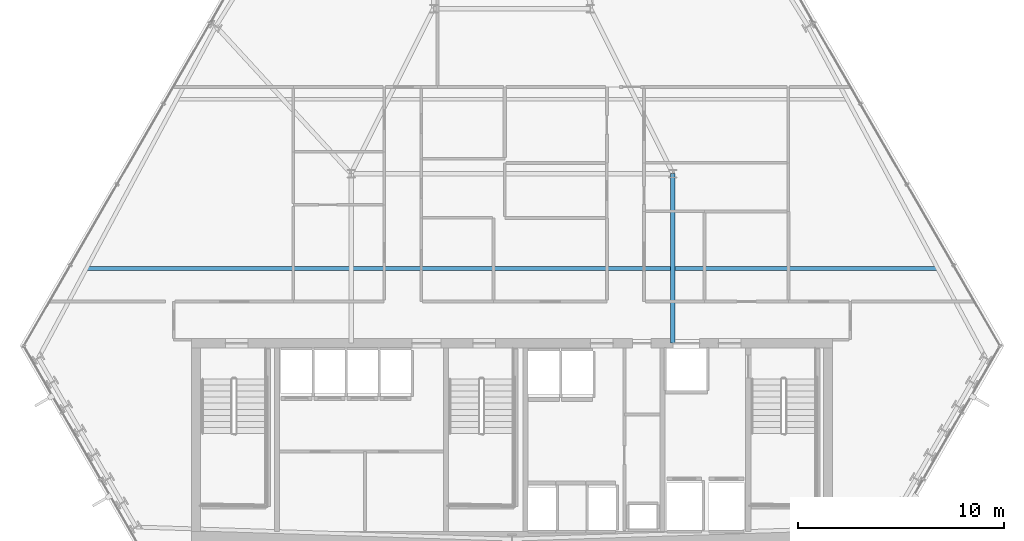
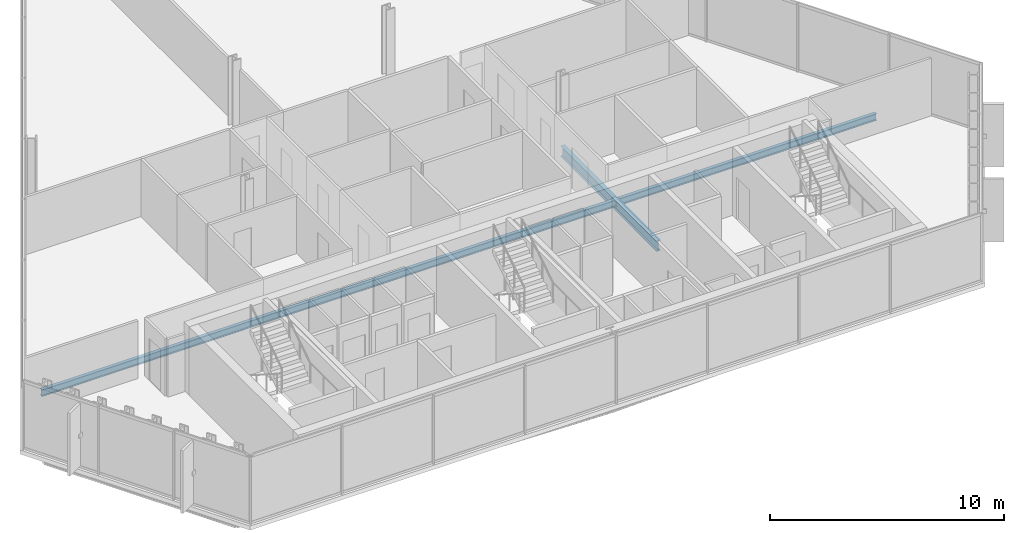
# One storey, part 10 of 33: 2 beams.
"""IFC4 building model written with IfcOpenShell, lengths in metres."""

from ifc_helpers import new_model, si_unit, direction, frame, origin, origin_2d, place, context, subcontext, project, spatial, i_section, extrude, material, material_profile, profile_set, type_object, element, save


model = new_model("IFC4")

# Units and contexts
model_context = context("Model", 3, precision=1e-05, world=origin(), true_north=direction((0.0, 1.0)))
body_context = subcontext(model_context, "Body", "Model", "MODEL_VIEW")
ifc_project = project(units=[si_unit("LENGTHUNIT", "METRE"), si_unit("AREAUNIT", "SQUARE_METRE"), si_unit("VOLUMEUNIT", "CUBIC_METRE"), si_unit("PLANEANGLEUNIT", "RADIAN"), si_unit("MASSUNIT", "GRAM", prefix="KILO")], contexts=[model_context])

# Site, building, storey
site_placement = place(None, origin())
site = spatial("IfcSite", under=ifc_project, at=site_placement, CompositionType="ELEMENT")
building_placement = place(site_placement, origin())
building = spatial("IfcBuilding", under=site, at=building_placement, Name="Ndaravel Arena Tower", CompositionType="ELEMENT")
storey_placement = place(building_placement, frame((0.0, 0.0, 153.60009765625)))
storey = spatial("IfcBuildingStorey", under=building, at=storey_placement, Name="L36", CompositionType="ELEMENT", Elevation=153.60009765625)

# Beams
ifc_material_1 = material(Name="Steel S355", Category="steel")
ifc_material_profile_1 = material_profile(ifc_material_1, i_section(OverallWidth=0.210693359375, OverallDepth=0.53955078125, WebThickness=0.01171875, FlangeThickness=0.018798828125, FilletRadius=0.0126953125, at=origin_2d()), Name="UB 533x210x109")
ifc_profile_set_1 = profile_set([ifc_material_profile_1], Name="Steel S355")
beam_type_1 = type_object("IfcBeamType", Name="BM-GIRD-UB533", PredefinedType="BEAM", material=ifc_profile_set_1)
beam_1_placement = place(storey_placement, frame((49.800048828125, 14.97998046875, -0.48974609375), z_axis=(0.0, 1.0, 0.0), x_axis=(-1.0, 0.0, 0.0)))
element("IfcBeam", 1, at=beam_1_placement, inside=storey, type_object=beam_type_1, Name="L36 Spine Link Girder SLG-02", PredefinedType="BEAM", context=body_context, shape_type="SweptSolid", body=[
    extrude(i_section(OverallWidth=0.210693359375, OverallDepth=0.53955078125, WebThickness=0.01171875, FlangeThickness=0.018798828125, FilletRadius=0.0126953125, at=origin_2d()), origin(), (0.0, 0.0, 1.0), 8.219970703125),
])
ifc_material_2 = material(Name="Steel S355", Category="steel")
ifc_material_profile_2 = material_profile(ifc_material_2, i_section(OverallWidth=0.172119140625, OverallDepth=0.35791015625, WebThickness=0.008056640625, FlangeThickness=0.012939453125, FilletRadius=0.01025390625, at=origin_2d()), Name="UB 356x171x57")
ifc_profile_set_2 = profile_set([ifc_material_profile_2], Name="Steel S355")
beam_type_2 = type_object("IfcBeamType", Name="BM-JOIST-UB356", PredefinedType="JOIST", material=ifc_profile_set_2)
beam_2_placement = place(storey_placement, frame((21.36279296875, 18.60009765625, -0.399169921875), z_axis=(1.0, 0.0, 0.0), x_axis=(0.0, 1.0, 0.0)))
element("IfcBeam", 2, at=beam_2_placement, inside=storey, type_object=beam_type_2, Name="L36 Composite Floor Joist FJ-01", PredefinedType="JOIST", context=body_context, shape_type="SweptSolid", body=[
    extrude(i_section(OverallWidth=0.172119140625, OverallDepth=0.35791015625, WebThickness=0.008056640625, FlangeThickness=0.012939453125, FilletRadius=0.01025390625, at=origin_2d()), origin(), (0.0, 0.0, 1.0), 41.2744140625),
])

save(model, "model.ifc")
